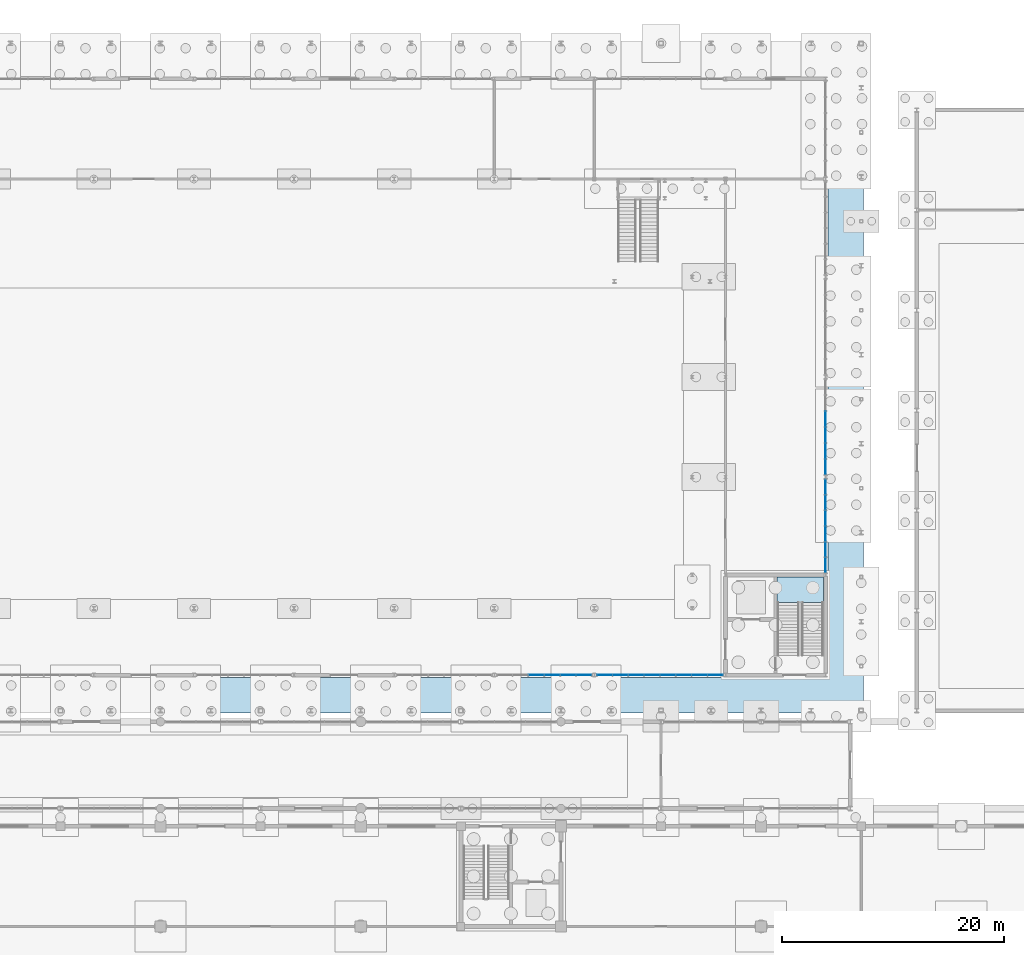
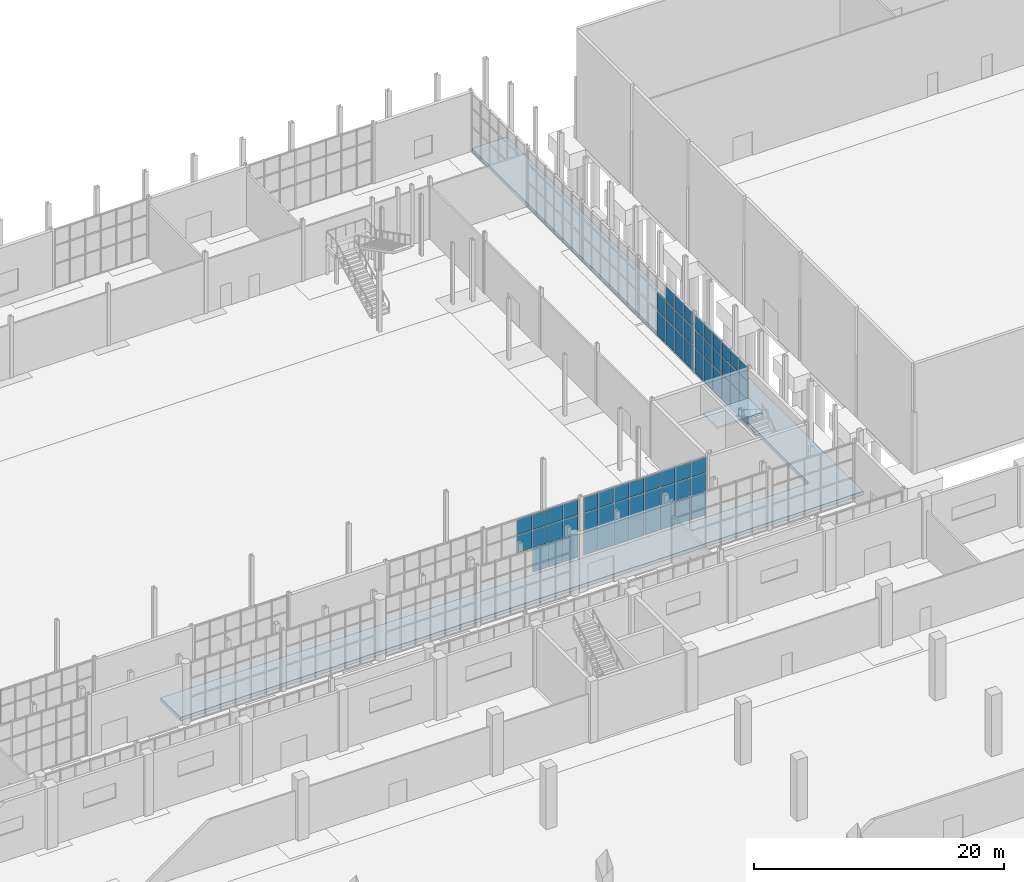
# One storey, part 94 of 131: 64 plates, 2 slabs, 5 elements without a shape of their own.
"""IFC4 building model written with IfcOpenShell, lengths in metres."""

from ifc_helpers import new_model, si_unit, direction, frame, origin, origin_2d, place, context, subcontext, project, spatial, polyline, rectangle, outline, extrude, material, layer, layer_set, type_object, element, aggregate, save


model = new_model("IFC4")

# Units and contexts
model_context = context("Model", 3, precision=1e-05, world=origin(), true_north=direction((0.0, 1.0)))
body_context = subcontext(model_context, "Body", "Model", "MODEL_VIEW")
ifc_project = project(units=[si_unit("LENGTHUNIT", "METRE"), si_unit("AREAUNIT", "SQUARE_METRE"), si_unit("VOLUMEUNIT", "CUBIC_METRE"), si_unit("PLANEANGLEUNIT", "RADIAN"), si_unit("MASSUNIT", "GRAM", prefix="KILO")], contexts=[model_context])

# Site, building, storey
site_placement = place(None, origin())
site = spatial("IfcSite", under=ifc_project, at=site_placement, CompositionType="ELEMENT")
building_placement = place(site_placement, origin())
building = spatial("IfcBuilding", under=site, at=building_placement, Name="Cazmaro Siding Exhibition Halls", CompositionType="ELEMENT")
storey_placement = place(building_placement, origin())
storey = spatial("IfcBuildingStorey", under=building, at=storey_placement, Name="L00", CompositionType="ELEMENT", Elevation=0.0)

# Slab
ifc_material_1 = material(Name="Concrete f'c 35 MPa", Category="concrete")
ifc_layer_1 = layer(ifc_material_1, 0.35009765625)
ifc_layer_set_1 = layer_set([ifc_layer_1], Name="Concrete f'c 35 MPa")
slab_type_1 = type_object("IfcSlabType", Name="BS-03", PredefinedType="BASESLAB", material=ifc_layer_set_1)
slab_1_placement = place(storey_placement, frame((0.0, 0.0, -0.35009765625)))
element("IfcSlab", 1, at=slab_1_placement, inside=storey, type_object=slab_type_1, Name="East colonnade walkway slab BS-03 SLB-0003", PredefinedType="BASESLAB", context=body_context, shape_type="SweptSolid", body=[
    extrude(outline(polyline([(108.0, 63.800048828125), (171.199951171875, 63.800048828125), (171.199951171875, 121.0), (168.0, 121.0), (168.0, 67.0), (108.0, 67.0), (108.0, 63.800048828125)])), origin(), (0.0, 0.0, 1.0), 0.35009765625),
])

# Curtain wall, plates
ifc_material_2 = material(Name="Anodized Bronze Aluminum and Solar-Control Low-E Glazing", Category="aluminium")
ifc_layer_2 = layer(ifc_material_2, 0.179931640625)
ifc_layer_set_2 = layer_set([ifc_layer_2], Name="Anodized Bronze Aluminum and Solar-Control Low-E Glazing")
curtain_wall_type_1 = type_object("IfcCurtainWallType", Name="CWS-01", PredefinedType="USERDEFINED", material=ifc_layer_set_2)
curtain_wall_1_placement = place(storey_placement, origin())
curtain_wall_1 = element("IfcCurtainWall", 2, at=curtain_wall_1_placement, inside=storey, type_object=curtain_wall_type_1, Name="Glazed Curtain Wall CWS-01 CW-040", ObjectType="GLAZED CURTAIN WALL", PredefinedType="USERDEFINED")
ifc_material_3 = material(Name="Solar-Control Low-E Double Insulating Glass", Category="glass")
ifc_layer_3 = layer(ifc_material_3, 0.02392578125)
ifc_layer_set_3 = layer_set([ifc_layer_3], Name="Solar-Control Low-E Double Insulating Glass")
plate_type_1 = type_object("IfcPlateType", Name="CWP-01", PredefinedType="CURTAIN_PANEL", material=ifc_layer_set_3)
plate_1_placement = place(storey_placement, frame((141.78271484375, 67.199951171875, 2.43017578125), z_axis=(0.0, 0.0, 1.0), x_axis=(1.0, 0.0, 0.0)))
plate_1 = element("IfcPlate", 3, at=plate_1_placement, type_object=plate_type_1, Name="CWS-01 panel 3.2", PredefinedType="CURTAIN_PANEL", context=body_context, shape_type="SweptSolid", body=[
    extrude(rectangle(XDim=1.374267578125, YDim=0.02392578125, at=origin_2d()), origin(), (0.0, 0.0, 1.0), 1.739990234375),
])
plate_2_placement = place(storey_placement, frame((141.78271484375, 67.199951171875, 4.22998046875), z_axis=(0.0, 0.0, 1.0), x_axis=(1.0, 0.0, 0.0)))
plate_2 = element("IfcPlate", 4, at=plate_2_placement, type_object=plate_type_1, Name="CWS-01 panel 3.3", PredefinedType="CURTAIN_PANEL", context=body_context, shape_type="SweptSolid", body=[
    extrude(rectangle(XDim=1.374267578125, YDim=0.02392578125, at=origin_2d()), origin(), (0.0, 0.0, 1.0), 1.489990234375),
])
plate_3_placement = place(storey_placement, frame((143.21728515625, 67.199951171875, 0.06005859375), z_axis=(0.0, 0.0, 1.0), x_axis=(1.0, 0.0, 0.0)))
plate_3 = element("IfcPlate", 5, at=plate_3_placement, type_object=plate_type_1, Name="CWS-01 panel 4.1", PredefinedType="CURTAIN_PANEL", context=body_context, shape_type="SweptSolid", body=[
    extrude(rectangle(XDim=1.374267578125, YDim=0.02392578125, at=origin_2d()), origin(), (0.0, 0.0, 1.0), 2.31005859375),
])
plate_4_placement = place(storey_placement, frame((143.21728515625, 67.199951171875, 2.43017578125), z_axis=(0.0, 0.0, 1.0), x_axis=(1.0, 0.0, 0.0)))
plate_4 = element("IfcPlate", 6, at=plate_4_placement, type_object=plate_type_1, Name="CWS-01 panel 4.2", PredefinedType="CURTAIN_PANEL", context=body_context, shape_type="SweptSolid", body=[
    extrude(rectangle(XDim=1.374267578125, YDim=0.02392578125, at=origin_2d()), origin(), (0.0, 0.0, 1.0), 1.739990234375),
])
plate_5_placement = place(storey_placement, frame((143.21728515625, 67.199951171875, 4.22998046875), z_axis=(0.0, 0.0, 1.0), x_axis=(1.0, 0.0, 0.0)))
plate_5 = element("IfcPlate", 7, at=plate_5_placement, type_object=plate_type_1, Name="CWS-01 panel 4.3", PredefinedType="CURTAIN_PANEL", context=body_context, shape_type="SweptSolid", body=[
    extrude(rectangle(XDim=1.374267578125, YDim=0.02392578125, at=origin_2d()), origin(), (0.0, 0.0, 1.0), 1.489990234375),
])
plate_6_placement = place(storey_placement, frame((144.651611328125, 67.199951171875, 0.06005859375), z_axis=(0.0, 0.0, 1.0), x_axis=(1.0, 0.0, 0.0)))
plate_6 = element("IfcPlate", 8, at=plate_6_placement, type_object=plate_type_1, Name="CWS-01 panel 5.1", PredefinedType="CURTAIN_PANEL", context=body_context, shape_type="SweptSolid", body=[
    extrude(rectangle(XDim=1.374267578125, YDim=0.02392578125, at=origin_2d()), origin(), (0.0, 0.0, 1.0), 2.31005859375),
])
plate_7_placement = place(storey_placement, frame((144.651611328125, 67.199951171875, 2.43017578125), z_axis=(0.0, 0.0, 1.0), x_axis=(1.0, 0.0, 0.0)))
plate_7 = element("IfcPlate", 9, at=plate_7_placement, type_object=plate_type_1, Name="CWS-01 panel 5.2", PredefinedType="CURTAIN_PANEL", context=body_context, shape_type="SweptSolid", body=[
    extrude(rectangle(XDim=1.374267578125, YDim=0.02392578125, at=origin_2d()), origin(), (0.0, 0.0, 1.0), 1.739990234375),
])
plate_8_placement = place(storey_placement, frame((144.651611328125, 67.199951171875, 4.22998046875), z_axis=(0.0, 0.0, 1.0), x_axis=(1.0, 0.0, 0.0)))
plate_8 = element("IfcPlate", 10, at=plate_8_placement, type_object=plate_type_1, Name="CWS-01 panel 5.3", PredefinedType="CURTAIN_PANEL", context=body_context, shape_type="SweptSolid", body=[
    extrude(rectangle(XDim=1.374267578125, YDim=0.02392578125, at=origin_2d()), origin(), (0.0, 0.0, 1.0), 1.489990234375),
])
plate_9_placement = place(storey_placement, frame((146.07080078125, 67.199951171875, 0.06005859375), z_axis=(0.0, 0.0, 1.0), x_axis=(1.0, 0.0, 0.0)))
plate_9 = element("IfcPlate", 11, at=plate_9_placement, type_object=plate_type_1, Name="CWS-01 panel 6.1", PredefinedType="CURTAIN_PANEL", context=body_context, shape_type="SweptSolid", body=[
    extrude(rectangle(XDim=1.34423828125, YDim=0.02392578125, at=origin_2d()), origin(), (0.0, 0.0, 1.0), 2.31005859375),
])
plate_10_placement = place(storey_placement, frame((146.07080078125, 67.199951171875, 2.43017578125), z_axis=(0.0, 0.0, 1.0), x_axis=(1.0, 0.0, 0.0)))
plate_10 = element("IfcPlate", 12, at=plate_10_placement, type_object=plate_type_1, Name="CWS-01 panel 6.2", PredefinedType="CURTAIN_PANEL", context=body_context, shape_type="SweptSolid", body=[
    extrude(rectangle(XDim=1.34423828125, YDim=0.02392578125, at=origin_2d()), origin(), (0.0, 0.0, 1.0), 1.739990234375),
])
plate_11_placement = place(storey_placement, frame((146.07080078125, 67.199951171875, 4.22998046875), z_axis=(0.0, 0.0, 1.0), x_axis=(1.0, 0.0, 0.0)))
plate_11 = element("IfcPlate", 13, at=plate_11_placement, type_object=plate_type_1, Name="CWS-01 panel 6.3", PredefinedType="CURTAIN_PANEL", context=body_context, shape_type="SweptSolid", body=[
    extrude(rectangle(XDim=1.34423828125, YDim=0.02392578125, at=origin_2d()), origin(), (0.0, 0.0, 1.0), 1.489990234375),
])
aggregate(curtain_wall_1, [plate_1, plate_2, plate_3, plate_4, plate_5, plate_6, plate_7, plate_8, plate_9, plate_10, plate_11])

curtain_wall_2_placement = place(storey_placement, origin())
curtain_wall_2 = element("IfcCurtainWall", 14, at=curtain_wall_2_placement, inside=storey, type_object=curtain_wall_type_1, Name="Glazed Curtain Wall CWS-01 CW-043", ObjectType="GLAZED CURTAIN WALL", PredefinedType="USERDEFINED")
plate_12_placement = place(storey_placement, frame((147.9248046875, 67.199951171875, 0.06005859375), z_axis=(0.0, 0.0, 1.0), x_axis=(1.0, 0.0, 0.0)))
plate_12 = element("IfcPlate", 15, at=plate_12_placement, type_object=plate_type_1, Name="CWS-01 panel 1.1", PredefinedType="CURTAIN_PANEL", context=body_context, shape_type="SweptSolid", body=[
    extrude(rectangle(XDim=1.335693359375, YDim=0.02392578125, at=origin_2d()), origin(), (0.0, 0.0, 1.0), 2.31005859375),
])
plate_13_placement = place(storey_placement, frame((147.9248046875, 67.199951171875, 2.43017578125), z_axis=(0.0, 0.0, 1.0), x_axis=(1.0, 0.0, 0.0)))
plate_13 = element("IfcPlate", 16, at=plate_13_placement, type_object=plate_type_1, Name="CWS-01 panel 1.2", PredefinedType="CURTAIN_PANEL", context=body_context, shape_type="SweptSolid", body=[
    extrude(rectangle(XDim=1.335693359375, YDim=0.02392578125, at=origin_2d()), origin(), (0.0, 0.0, 1.0), 1.739990234375),
])
plate_14_placement = place(storey_placement, frame((147.9248046875, 67.199951171875, 4.22998046875), z_axis=(0.0, 0.0, 1.0), x_axis=(1.0, 0.0, 0.0)))
plate_14 = element("IfcPlate", 17, at=plate_14_placement, type_object=plate_type_1, Name="CWS-01 panel 1.3", PredefinedType="CURTAIN_PANEL", context=body_context, shape_type="SweptSolid", body=[
    extrude(rectangle(XDim=1.335693359375, YDim=0.02392578125, at=origin_2d()), origin(), (0.0, 0.0, 1.0), 1.489990234375),
])
plate_15_placement = place(storey_placement, frame((149.335693359375, 67.199951171875, 0.06005859375), z_axis=(0.0, 0.0, 1.0), x_axis=(1.0, 0.0, 0.0)))
plate_15 = element("IfcPlate", 18, at=plate_15_placement, type_object=plate_type_1, Name="CWS-01 panel 2.1", PredefinedType="CURTAIN_PANEL", context=body_context, shape_type="SweptSolid", body=[
    extrude(rectangle(XDim=1.36572265625, YDim=0.02392578125, at=origin_2d()), origin(), (0.0, 0.0, 1.0), 2.31005859375),
])
plate_16_placement = place(storey_placement, frame((149.335693359375, 67.199951171875, 2.43017578125), z_axis=(0.0, 0.0, 1.0), x_axis=(1.0, 0.0, 0.0)))
plate_16 = element("IfcPlate", 19, at=plate_16_placement, type_object=plate_type_1, Name="CWS-01 panel 2.2", PredefinedType="CURTAIN_PANEL", context=body_context, shape_type="SweptSolid", body=[
    extrude(rectangle(XDim=1.36572265625, YDim=0.02392578125, at=origin_2d()), origin(), (0.0, 0.0, 1.0), 1.739990234375),
])
plate_17_placement = place(storey_placement, frame((149.335693359375, 67.199951171875, 4.22998046875), z_axis=(0.0, 0.0, 1.0), x_axis=(1.0, 0.0, 0.0)))
plate_17 = element("IfcPlate", 20, at=plate_17_placement, type_object=plate_type_1, Name="CWS-01 panel 2.3", PredefinedType="CURTAIN_PANEL", context=body_context, shape_type="SweptSolid", body=[
    extrude(rectangle(XDim=1.36572265625, YDim=0.02392578125, at=origin_2d()), origin(), (0.0, 0.0, 1.0), 1.489990234375),
])
plate_18_placement = place(storey_placement, frame((150.761474609375, 67.199951171875, 0.06005859375), z_axis=(0.0, 0.0, 1.0), x_axis=(1.0, 0.0, 0.0)))
plate_18 = element("IfcPlate", 21, at=plate_18_placement, type_object=plate_type_1, Name="CWS-01 panel 3.1", PredefinedType="CURTAIN_PANEL", context=body_context, shape_type="SweptSolid", body=[
    extrude(rectangle(XDim=1.36572265625, YDim=0.02392578125, at=origin_2d()), origin(), (0.0, 0.0, 1.0), 2.31005859375),
])
plate_19_placement = place(storey_placement, frame((150.761474609375, 67.199951171875, 2.43017578125), z_axis=(0.0, 0.0, 1.0), x_axis=(1.0, 0.0, 0.0)))
plate_19 = element("IfcPlate", 22, at=plate_19_placement, type_object=plate_type_1, Name="CWS-01 panel 3.2", PredefinedType="CURTAIN_PANEL", context=body_context, shape_type="SweptSolid", body=[
    extrude(rectangle(XDim=1.36572265625, YDim=0.02392578125, at=origin_2d()), origin(), (0.0, 0.0, 1.0), 1.739990234375),
])
plate_20_placement = place(storey_placement, frame((150.761474609375, 67.199951171875, 4.22998046875), z_axis=(0.0, 0.0, 1.0), x_axis=(1.0, 0.0, 0.0)))
plate_20 = element("IfcPlate", 23, at=plate_20_placement, type_object=plate_type_1, Name="CWS-01 panel 3.3", PredefinedType="CURTAIN_PANEL", context=body_context, shape_type="SweptSolid", body=[
    extrude(rectangle(XDim=1.36572265625, YDim=0.02392578125, at=origin_2d()), origin(), (0.0, 0.0, 1.0), 1.489990234375),
])
plate_21_placement = place(storey_placement, frame((152.18701171875, 67.199951171875, 0.06005859375), z_axis=(0.0, 0.0, 1.0), x_axis=(1.0, 0.0, 0.0)))
plate_21 = element("IfcPlate", 24, at=plate_21_placement, type_object=plate_type_1, Name="CWS-01 panel 4.1", PredefinedType="CURTAIN_PANEL", context=body_context, shape_type="SweptSolid", body=[
    extrude(rectangle(XDim=1.36572265625, YDim=0.02392578125, at=origin_2d()), origin(), (0.0, 0.0, 1.0), 2.31005859375),
])
plate_22_placement = place(storey_placement, frame((152.18701171875, 67.199951171875, 2.43017578125), z_axis=(0.0, 0.0, 1.0), x_axis=(1.0, 0.0, 0.0)))
plate_22 = element("IfcPlate", 25, at=plate_22_placement, type_object=plate_type_1, Name="CWS-01 panel 4.2", PredefinedType="CURTAIN_PANEL", context=body_context, shape_type="SweptSolid", body=[
    extrude(rectangle(XDim=1.36572265625, YDim=0.02392578125, at=origin_2d()), origin(), (0.0, 0.0, 1.0), 1.739990234375),
])
plate_23_placement = place(storey_placement, frame((152.18701171875, 67.199951171875, 4.22998046875), z_axis=(0.0, 0.0, 1.0), x_axis=(1.0, 0.0, 0.0)))
plate_23 = element("IfcPlate", 26, at=plate_23_placement, type_object=plate_type_1, Name="CWS-01 panel 4.3", PredefinedType="CURTAIN_PANEL", context=body_context, shape_type="SweptSolid", body=[
    extrude(rectangle(XDim=1.36572265625, YDim=0.02392578125, at=origin_2d()), origin(), (0.0, 0.0, 1.0), 1.489990234375),
])
plate_24_placement = place(storey_placement, frame((153.61279296875, 67.199951171875, 0.06005859375), z_axis=(0.0, 0.0, 1.0), x_axis=(1.0, 0.0, 0.0)))
plate_24 = element("IfcPlate", 27, at=plate_24_placement, type_object=plate_type_1, Name="CWS-01 panel 5.1", PredefinedType="CURTAIN_PANEL", context=body_context, shape_type="SweptSolid", body=[
    extrude(rectangle(XDim=1.36572265625, YDim=0.02392578125, at=origin_2d()), origin(), (0.0, 0.0, 1.0), 2.31005859375),
])
plate_25_placement = place(storey_placement, frame((153.61279296875, 67.199951171875, 2.43017578125), z_axis=(0.0, 0.0, 1.0), x_axis=(1.0, 0.0, 0.0)))
plate_25 = element("IfcPlate", 28, at=plate_25_placement, type_object=plate_type_1, Name="CWS-01 panel 5.2", PredefinedType="CURTAIN_PANEL", context=body_context, shape_type="SweptSolid", body=[
    extrude(rectangle(XDim=1.36572265625, YDim=0.02392578125, at=origin_2d()), origin(), (0.0, 0.0, 1.0), 1.739990234375),
])
plate_26_placement = place(storey_placement, frame((153.61279296875, 67.199951171875, 4.22998046875), z_axis=(0.0, 0.0, 1.0), x_axis=(1.0, 0.0, 0.0)))
plate_26 = element("IfcPlate", 29, at=plate_26_placement, type_object=plate_type_1, Name="CWS-01 panel 5.3", PredefinedType="CURTAIN_PANEL", context=body_context, shape_type="SweptSolid", body=[
    extrude(rectangle(XDim=1.36572265625, YDim=0.02392578125, at=origin_2d()), origin(), (0.0, 0.0, 1.0), 1.489990234375),
])
plate_27_placement = place(storey_placement, frame((155.03857421875, 67.199951171875, 0.06005859375), z_axis=(0.0, 0.0, 1.0), x_axis=(1.0, 0.0, 0.0)))
plate_27 = element("IfcPlate", 30, at=plate_27_placement, type_object=plate_type_1, Name="CWS-01 panel 6.1", PredefinedType="CURTAIN_PANEL", context=body_context, shape_type="SweptSolid", body=[
    extrude(rectangle(XDim=1.36572265625, YDim=0.02392578125, at=origin_2d()), origin(), (0.0, 0.0, 1.0), 2.31005859375),
])
plate_28_placement = place(storey_placement, frame((155.03857421875, 67.199951171875, 2.43017578125), z_axis=(0.0, 0.0, 1.0), x_axis=(1.0, 0.0, 0.0)))
plate_28 = element("IfcPlate", 31, at=plate_28_placement, type_object=plate_type_1, Name="CWS-01 panel 6.2", PredefinedType="CURTAIN_PANEL", context=body_context, shape_type="SweptSolid", body=[
    extrude(rectangle(XDim=1.36572265625, YDim=0.02392578125, at=origin_2d()), origin(), (0.0, 0.0, 1.0), 1.739990234375),
])
plate_29_placement = place(storey_placement, frame((155.03857421875, 67.199951171875, 4.22998046875), z_axis=(0.0, 0.0, 1.0), x_axis=(1.0, 0.0, 0.0)))
plate_29 = element("IfcPlate", 32, at=plate_29_placement, type_object=plate_type_1, Name="CWS-01 panel 6.3", PredefinedType="CURTAIN_PANEL", context=body_context, shape_type="SweptSolid", body=[
    extrude(rectangle(XDim=1.36572265625, YDim=0.02392578125, at=origin_2d()), origin(), (0.0, 0.0, 1.0), 1.489990234375),
])
plate_30_placement = place(storey_placement, frame((156.46435546875, 67.199951171875, 0.06005859375), z_axis=(0.0, 0.0, 1.0), x_axis=(1.0, 0.0, 0.0)))
plate_30 = element("IfcPlate", 33, at=plate_30_placement, type_object=plate_type_1, Name="CWS-01 panel 7.1", PredefinedType="CURTAIN_PANEL", context=body_context, shape_type="SweptSolid", body=[
    extrude(rectangle(XDim=1.36572265625, YDim=0.02392578125, at=origin_2d()), origin(), (0.0, 0.0, 1.0), 2.31005859375),
])
plate_31_placement = place(storey_placement, frame((156.46435546875, 67.199951171875, 2.43017578125), z_axis=(0.0, 0.0, 1.0), x_axis=(1.0, 0.0, 0.0)))
plate_31 = element("IfcPlate", 34, at=plate_31_placement, type_object=plate_type_1, Name="CWS-01 panel 7.2", PredefinedType="CURTAIN_PANEL", context=body_context, shape_type="SweptSolid", body=[
    extrude(rectangle(XDim=1.36572265625, YDim=0.02392578125, at=origin_2d()), origin(), (0.0, 0.0, 1.0), 1.739990234375),
])
plate_32_placement = place(storey_placement, frame((156.46435546875, 67.199951171875, 4.22998046875), z_axis=(0.0, 0.0, 1.0), x_axis=(1.0, 0.0, 0.0)))
plate_32 = element("IfcPlate", 35, at=plate_32_placement, type_object=plate_type_1, Name="CWS-01 panel 7.3", PredefinedType="CURTAIN_PANEL", context=body_context, shape_type="SweptSolid", body=[
    extrude(rectangle(XDim=1.36572265625, YDim=0.02392578125, at=origin_2d()), origin(), (0.0, 0.0, 1.0), 1.489990234375),
])
plate_33_placement = place(storey_placement, frame((157.875244140625, 67.199951171875, 0.06005859375), z_axis=(0.0, 0.0, 1.0), x_axis=(1.0, 0.0, 0.0)))
plate_33 = element("IfcPlate", 36, at=plate_33_placement, type_object=plate_type_1, Name="CWS-01 panel 8.1", PredefinedType="CURTAIN_PANEL", context=body_context, shape_type="SweptSolid", body=[
    extrude(rectangle(XDim=1.335693359375, YDim=0.02392578125, at=origin_2d()), origin(), (0.0, 0.0, 1.0), 2.31005859375),
])
plate_34_placement = place(storey_placement, frame((157.875244140625, 67.199951171875, 2.43017578125), z_axis=(0.0, 0.0, 1.0), x_axis=(1.0, 0.0, 0.0)))
plate_34 = element("IfcPlate", 37, at=plate_34_placement, type_object=plate_type_1, Name="CWS-01 panel 8.2", PredefinedType="CURTAIN_PANEL", context=body_context, shape_type="SweptSolid", body=[
    extrude(rectangle(XDim=1.335693359375, YDim=0.02392578125, at=origin_2d()), origin(), (0.0, 0.0, 1.0), 1.739990234375),
])
plate_35_placement = place(storey_placement, frame((157.875244140625, 67.199951171875, 4.22998046875), z_axis=(0.0, 0.0, 1.0), x_axis=(1.0, 0.0, 0.0)))
plate_35 = element("IfcPlate", 38, at=plate_35_placement, type_object=plate_type_1, Name="CWS-01 panel 8.3", PredefinedType="CURTAIN_PANEL", context=body_context, shape_type="SweptSolid", body=[
    extrude(rectangle(XDim=1.335693359375, YDim=0.02392578125, at=origin_2d()), origin(), (0.0, 0.0, 1.0), 1.489990234375),
])
aggregate(curtain_wall_2, [plate_12, plate_13, plate_14, plate_15, plate_16, plate_17, plate_18, plate_19, plate_20, plate_21, plate_22, plate_23, plate_24, plate_25, plate_26, plate_27, plate_28, plate_29, plate_30, plate_31, plate_32, plate_33, plate_34, plate_35])

ifc_material_4 = material(Name="Anodized Bronze Aluminum and Solar-Control Low-E Glazing", Category="aluminium")
ifc_layer_4 = layer(ifc_material_4, 0.219970703125)
ifc_layer_set_4 = layer_set([ifc_layer_4], Name="Anodized Bronze Aluminum and Solar-Control Low-E Glazing")
curtain_wall_type_2 = type_object("IfcCurtainWallType", Name="CWS-03", PredefinedType="USERDEFINED", material=ifc_layer_set_4)
curtain_wall_3_placement = place(storey_placement, origin())
curtain_wall_3 = element("IfcCurtainWall", 39, at=curtain_wall_3_placement, inside=storey, type_object=curtain_wall_type_2, Name="Glazed Curtain Wall CWS-03 CW-065", ObjectType="GLAZED CURTAIN WALL", PredefinedType="USERDEFINED")
ifc_material_5 = material(Name="Solar-Control Low-E Double Insulating Glass", Category="glass")
ifc_layer_5 = layer(ifc_material_5, 0.0458984375)
ifc_layer_set_5 = layer_set([ifc_layer_5], Name="Solar-Control Low-E Double Insulating Glass")
plate_type_2 = type_object("IfcPlateType", Name="CWP-03", PredefinedType="CURTAIN_PANEL", material=ifc_layer_set_5)
plate_36_placement = place(storey_placement, frame((167.800048828125, 77.098388671875, 0.070068359375), z_axis=(0.0, 0.0, 1.0), x_axis=(0.0, 1.0, 0.0)))
plate_36 = element("IfcPlate", 40, at=plate_36_placement, type_object=plate_type_2, Name="CWS-03 panel 1.1", PredefinedType="CURTAIN_PANEL", context=body_context, shape_type="SweptSolid", body=[
    extrude(rectangle(XDim=1.302734375, YDim=0.0458984375, at=origin_2d()), origin(), (0.0, 0.0, 1.0), 2.39501953125),
])
plate_37_placement = place(storey_placement, frame((167.800048828125, 77.098388671875, 2.534912109375), z_axis=(0.0, 0.0, 1.0), x_axis=(0.0, 1.0, 0.0)))
plate_37 = element("IfcPlate", 41, at=plate_37_placement, type_object=plate_type_2, Name="CWS-03 panel 1.2", PredefinedType="CURTAIN_PANEL", context=body_context, shape_type="SweptSolid", body=[
    extrude(rectangle(XDim=1.302734375, YDim=0.0458984375, at=origin_2d()), origin(), (0.0, 0.0, 1.0), 1.72998046875),
])
plate_38_placement = place(storey_placement, frame((167.800048828125, 77.098388671875, 4.3349609375), z_axis=(0.0, 0.0, 1.0), x_axis=(0.0, 1.0, 0.0)))
plate_38 = element("IfcPlate", 42, at=plate_38_placement, type_object=plate_type_2, Name="CWS-03 panel 1.3", PredefinedType="CURTAIN_PANEL", context=body_context, shape_type="SweptSolid", body=[
    extrude(rectangle(XDim=1.302734375, YDim=0.0458984375, at=origin_2d()), origin(), (0.0, 0.0, 1.0), 1.375),
])
plate_39_placement = place(storey_placement, frame((167.800048828125, 78.488525390625, 0.070068359375), z_axis=(0.0, 0.0, 1.0), x_axis=(0.0, 1.0, 0.0)))
plate_39 = element("IfcPlate", 43, at=plate_39_placement, type_object=plate_type_2, Name="CWS-03 panel 2.1", PredefinedType="CURTAIN_PANEL", context=body_context, shape_type="SweptSolid", body=[
    extrude(rectangle(XDim=1.337646484375, YDim=0.0458984375, at=origin_2d()), origin(), (0.0, 0.0, 1.0), 2.39501953125),
])
plate_40_placement = place(storey_placement, frame((167.800048828125, 78.488525390625, 2.534912109375), z_axis=(0.0, 0.0, 1.0), x_axis=(0.0, 1.0, 0.0)))
plate_40 = element("IfcPlate", 44, at=plate_40_placement, type_object=plate_type_2, Name="CWS-03 panel 2.2", PredefinedType="CURTAIN_PANEL", context=body_context, shape_type="SweptSolid", body=[
    extrude(rectangle(XDim=1.337646484375, YDim=0.0458984375, at=origin_2d()), origin(), (0.0, 0.0, 1.0), 1.72998046875),
])
plate_41_placement = place(storey_placement, frame((167.800048828125, 78.488525390625, 4.3349609375), z_axis=(0.0, 0.0, 1.0), x_axis=(0.0, 1.0, 0.0)))
plate_41 = element("IfcPlate", 45, at=plate_41_placement, type_object=plate_type_2, Name="CWS-03 panel 2.3", PredefinedType="CURTAIN_PANEL", context=body_context, shape_type="SweptSolid", body=[
    extrude(rectangle(XDim=1.337646484375, YDim=0.0458984375, at=origin_2d()), origin(), (0.0, 0.0, 1.0), 1.375),
])
plate_42_placement = place(storey_placement, frame((167.800048828125, 79.896240234375, 0.070068359375), z_axis=(0.0, 0.0, 1.0), x_axis=(0.0, 1.0, 0.0)))
plate_42 = element("IfcPlate", 46, at=plate_42_placement, type_object=plate_type_2, Name="CWS-03 panel 3.1", PredefinedType="CURTAIN_PANEL", context=body_context, shape_type="SweptSolid", body=[
    extrude(rectangle(XDim=1.337646484375, YDim=0.0458984375, at=origin_2d()), origin(), (0.0, 0.0, 1.0), 2.39501953125),
])
plate_43_placement = place(storey_placement, frame((167.800048828125, 79.896240234375, 2.534912109375), z_axis=(0.0, 0.0, 1.0), x_axis=(0.0, 1.0, 0.0)))
plate_43 = element("IfcPlate", 47, at=plate_43_placement, type_object=plate_type_2, Name="CWS-03 panel 3.2", PredefinedType="CURTAIN_PANEL", context=body_context, shape_type="SweptSolid", body=[
    extrude(rectangle(XDim=1.337646484375, YDim=0.0458984375, at=origin_2d()), origin(), (0.0, 0.0, 1.0), 1.72998046875),
])
plate_44_placement = place(storey_placement, frame((167.800048828125, 79.896240234375, 4.3349609375), z_axis=(0.0, 0.0, 1.0), x_axis=(0.0, 1.0, 0.0)))
plate_44 = element("IfcPlate", 48, at=plate_44_placement, type_object=plate_type_2, Name="CWS-03 panel 3.3", PredefinedType="CURTAIN_PANEL", context=body_context, shape_type="SweptSolid", body=[
    extrude(rectangle(XDim=1.337646484375, YDim=0.0458984375, at=origin_2d()), origin(), (0.0, 0.0, 1.0), 1.375),
])
plate_45_placement = place(storey_placement, frame((167.800048828125, 81.303955078125, 0.070068359375), z_axis=(0.0, 0.0, 1.0), x_axis=(0.0, 1.0, 0.0)))
plate_45 = element("IfcPlate", 49, at=plate_45_placement, type_object=plate_type_2, Name="CWS-03 panel 4.1", PredefinedType="CURTAIN_PANEL", context=body_context, shape_type="SweptSolid", body=[
    extrude(rectangle(XDim=1.337646484375, YDim=0.0458984375, at=origin_2d()), origin(), (0.0, 0.0, 1.0), 2.39501953125),
])
plate_46_placement = place(storey_placement, frame((167.800048828125, 81.303955078125, 2.534912109375), z_axis=(0.0, 0.0, 1.0), x_axis=(0.0, 1.0, 0.0)))
plate_46 = element("IfcPlate", 50, at=plate_46_placement, type_object=plate_type_2, Name="CWS-03 panel 4.2", PredefinedType="CURTAIN_PANEL", context=body_context, shape_type="SweptSolid", body=[
    extrude(rectangle(XDim=1.337646484375, YDim=0.0458984375, at=origin_2d()), origin(), (0.0, 0.0, 1.0), 1.72998046875),
])
plate_47_placement = place(storey_placement, frame((167.800048828125, 81.303955078125, 4.3349609375), z_axis=(0.0, 0.0, 1.0), x_axis=(0.0, 1.0, 0.0)))
plate_47 = element("IfcPlate", 51, at=plate_47_placement, type_object=plate_type_2, Name="CWS-03 panel 4.3", PredefinedType="CURTAIN_PANEL", context=body_context, shape_type="SweptSolid", body=[
    extrude(rectangle(XDim=1.337646484375, YDim=0.0458984375, at=origin_2d()), origin(), (0.0, 0.0, 1.0), 1.375),
])
plate_48_placement = place(storey_placement, frame((167.800048828125, 82.71142578125, 0.070068359375), z_axis=(0.0, 0.0, 1.0), x_axis=(0.0, 1.0, 0.0)))
plate_48 = element("IfcPlate", 52, at=plate_48_placement, type_object=plate_type_2, Name="CWS-03 panel 5.1", PredefinedType="CURTAIN_PANEL", context=body_context, shape_type="SweptSolid", body=[
    extrude(rectangle(XDim=1.337646484375, YDim=0.0458984375, at=origin_2d()), origin(), (0.0, 0.0, 1.0), 2.39501953125),
])
plate_49_placement = place(storey_placement, frame((167.800048828125, 82.71142578125, 2.534912109375), z_axis=(0.0, 0.0, 1.0), x_axis=(0.0, 1.0, 0.0)))
plate_49 = element("IfcPlate", 53, at=plate_49_placement, type_object=plate_type_2, Name="CWS-03 panel 5.2", PredefinedType="CURTAIN_PANEL", context=body_context, shape_type="SweptSolid", body=[
    extrude(rectangle(XDim=1.337646484375, YDim=0.0458984375, at=origin_2d()), origin(), (0.0, 0.0, 1.0), 1.72998046875),
])
plate_50_placement = place(storey_placement, frame((167.800048828125, 82.71142578125, 4.3349609375), z_axis=(0.0, 0.0, 1.0), x_axis=(0.0, 1.0, 0.0)))
plate_50 = element("IfcPlate", 54, at=plate_50_placement, type_object=plate_type_2, Name="CWS-03 panel 5.3", PredefinedType="CURTAIN_PANEL", context=body_context, shape_type="SweptSolid", body=[
    extrude(rectangle(XDim=1.337646484375, YDim=0.0458984375, at=origin_2d()), origin(), (0.0, 0.0, 1.0), 1.375),
])
plate_51_placement = place(storey_placement, frame((167.800048828125, 84.1015625, 0.070068359375), z_axis=(0.0, 0.0, 1.0), x_axis=(0.0, 1.0, 0.0)))
plate_51 = element("IfcPlate", 55, at=plate_51_placement, type_object=plate_type_2, Name="CWS-03 panel 6.1", PredefinedType="CURTAIN_PANEL", context=body_context, shape_type="SweptSolid", body=[
    extrude(rectangle(XDim=1.302734375, YDim=0.0458984375, at=origin_2d()), origin(), (0.0, 0.0, 1.0), 2.39501953125),
])
plate_52_placement = place(storey_placement, frame((167.800048828125, 84.1015625, 2.534912109375), z_axis=(0.0, 0.0, 1.0), x_axis=(0.0, 1.0, 0.0)))
plate_52 = element("IfcPlate", 56, at=plate_52_placement, type_object=plate_type_2, Name="CWS-03 panel 6.2", PredefinedType="CURTAIN_PANEL", context=body_context, shape_type="SweptSolid", body=[
    extrude(rectangle(XDim=1.302734375, YDim=0.0458984375, at=origin_2d()), origin(), (0.0, 0.0, 1.0), 1.72998046875),
])
plate_53_placement = place(storey_placement, frame((167.800048828125, 84.1015625, 4.3349609375), z_axis=(0.0, 0.0, 1.0), x_axis=(0.0, 1.0, 0.0)))
plate_53 = element("IfcPlate", 57, at=plate_53_placement, type_object=plate_type_2, Name="CWS-03 panel 6.3", PredefinedType="CURTAIN_PANEL", context=body_context, shape_type="SweptSolid", body=[
    extrude(rectangle(XDim=1.302734375, YDim=0.0458984375, at=origin_2d()), origin(), (0.0, 0.0, 1.0), 1.375),
])
aggregate(curtain_wall_3, [plate_36, plate_37, plate_38, plate_39, plate_40, plate_41, plate_42, plate_43, plate_44, plate_45, plate_46, plate_47, plate_48, plate_49, plate_50, plate_51, plate_52, plate_53])

curtain_wall_4_placement = place(storey_placement, origin())
curtain_wall_4 = element("IfcCurtainWall", 58, at=curtain_wall_4_placement, inside=storey, type_object=curtain_wall_type_2, Name="Glazed Curtain Wall CWS-03 CW-068", ObjectType="GLAZED CURTAIN WALL", PredefinedType="USERDEFINED")
plate_54_placement = place(storey_placement, frame((167.800048828125, 85.9150390625, 0.070068359375), z_axis=(0.0, 0.0, 1.0), x_axis=(0.0, 1.0, 0.0)))
plate_54 = element("IfcPlate", 59, at=plate_54_placement, type_object=plate_type_2, Name="CWS-03 panel 1.1", PredefinedType="CURTAIN_PANEL", context=body_context, shape_type="SweptSolid", body=[
    extrude(rectangle(XDim=1.3359375, YDim=0.0458984375, at=origin_2d()), origin(), (0.0, 0.0, 1.0), 2.39501953125),
])
plate_55_placement = place(storey_placement, frame((167.800048828125, 85.9150390625, 2.534912109375), z_axis=(0.0, 0.0, 1.0), x_axis=(0.0, 1.0, 0.0)))
plate_55 = element("IfcPlate", 60, at=plate_55_placement, type_object=plate_type_2, Name="CWS-03 panel 1.2", PredefinedType="CURTAIN_PANEL", context=body_context, shape_type="SweptSolid", body=[
    extrude(rectangle(XDim=1.3359375, YDim=0.0458984375, at=origin_2d()), origin(), (0.0, 0.0, 1.0), 1.72998046875),
])
plate_56_placement = place(storey_placement, frame((167.800048828125, 85.9150390625, 4.3349609375), z_axis=(0.0, 0.0, 1.0), x_axis=(0.0, 1.0, 0.0)))
plate_56 = element("IfcPlate", 61, at=plate_56_placement, type_object=plate_type_2, Name="CWS-03 panel 1.3", PredefinedType="CURTAIN_PANEL", context=body_context, shape_type="SweptSolid", body=[
    extrude(rectangle(XDim=1.3359375, YDim=0.0458984375, at=origin_2d()), origin(), (0.0, 0.0, 1.0), 1.375),
])
plate_57_placement = place(storey_placement, frame((167.800048828125, 87.33837890625, 0.070068359375), z_axis=(0.0, 0.0, 1.0), x_axis=(0.0, 1.0, 0.0)))
plate_57 = element("IfcPlate", 62, at=plate_57_placement, type_object=plate_type_2, Name="CWS-03 panel 2.1", PredefinedType="CURTAIN_PANEL", context=body_context, shape_type="SweptSolid", body=[
    extrude(rectangle(XDim=1.37109375, YDim=0.0458984375, at=origin_2d()), origin(), (0.0, 0.0, 1.0), 2.39501953125),
])
plate_58_placement = place(storey_placement, frame((167.800048828125, 87.33837890625, 2.534912109375), z_axis=(0.0, 0.0, 1.0), x_axis=(0.0, 1.0, 0.0)))
plate_58 = element("IfcPlate", 63, at=plate_58_placement, type_object=plate_type_2, Name="CWS-03 panel 2.2", PredefinedType="CURTAIN_PANEL", context=body_context, shape_type="SweptSolid", body=[
    extrude(rectangle(XDim=1.37109375, YDim=0.0458984375, at=origin_2d()), origin(), (0.0, 0.0, 1.0), 1.72998046875),
])
plate_59_placement = place(storey_placement, frame((167.800048828125, 87.33837890625, 4.3349609375), z_axis=(0.0, 0.0, 1.0), x_axis=(0.0, 1.0, 0.0)))
plate_59 = element("IfcPlate", 64, at=plate_59_placement, type_object=plate_type_2, Name="CWS-03 panel 2.3", PredefinedType="CURTAIN_PANEL", context=body_context, shape_type="SweptSolid", body=[
    extrude(rectangle(XDim=1.37109375, YDim=0.0458984375, at=origin_2d()), origin(), (0.0, 0.0, 1.0), 1.375),
])
plate_60_placement = place(storey_placement, frame((167.800048828125, 88.779541015625, 0.070068359375), z_axis=(0.0, 0.0, 1.0), x_axis=(0.0, 1.0, 0.0)))
plate_60 = element("IfcPlate", 65, at=plate_60_placement, type_object=plate_type_2, Name="CWS-03 panel 3.1", PredefinedType="CURTAIN_PANEL", context=body_context, shape_type="SweptSolid", body=[
    extrude(rectangle(XDim=1.37109375, YDim=0.0458984375, at=origin_2d()), origin(), (0.0, 0.0, 1.0), 2.39501953125),
])
plate_61_placement = place(storey_placement, frame((167.800048828125, 88.779541015625, 2.534912109375), z_axis=(0.0, 0.0, 1.0), x_axis=(0.0, 1.0, 0.0)))
plate_61 = element("IfcPlate", 66, at=plate_61_placement, type_object=plate_type_2, Name="CWS-03 panel 3.2", PredefinedType="CURTAIN_PANEL", context=body_context, shape_type="SweptSolid", body=[
    extrude(rectangle(XDim=1.37109375, YDim=0.0458984375, at=origin_2d()), origin(), (0.0, 0.0, 1.0), 1.72998046875),
])
plate_62_placement = place(storey_placement, frame((167.800048828125, 88.779541015625, 4.3349609375), z_axis=(0.0, 0.0, 1.0), x_axis=(0.0, 1.0, 0.0)))
plate_62 = element("IfcPlate", 67, at=plate_62_placement, type_object=plate_type_2, Name="CWS-03 panel 3.3", PredefinedType="CURTAIN_PANEL", context=body_context, shape_type="SweptSolid", body=[
    extrude(rectangle(XDim=1.37109375, YDim=0.0458984375, at=origin_2d()), origin(), (0.0, 0.0, 1.0), 1.375),
])
plate_63_placement = place(storey_placement, frame((167.800048828125, 90.220458984375, 0.070068359375), z_axis=(0.0, 0.0, 1.0), x_axis=(0.0, 1.0, 0.0)))
plate_63 = element("IfcPlate", 68, at=plate_63_placement, type_object=plate_type_2, Name="CWS-03 panel 4.1", PredefinedType="CURTAIN_PANEL", context=body_context, shape_type="SweptSolid", body=[
    extrude(rectangle(XDim=1.37109375, YDim=0.0458984375, at=origin_2d()), origin(), (0.0, 0.0, 1.0), 2.39501953125),
])
plate_64_placement = place(storey_placement, frame((167.800048828125, 90.220458984375, 2.534912109375), z_axis=(0.0, 0.0, 1.0), x_axis=(0.0, 1.0, 0.0)))
plate_64 = element("IfcPlate", 69, at=plate_64_placement, type_object=plate_type_2, Name="CWS-03 panel 4.2", PredefinedType="CURTAIN_PANEL", context=body_context, shape_type="SweptSolid", body=[
    extrude(rectangle(XDim=1.37109375, YDim=0.0458984375, at=origin_2d()), origin(), (0.0, 0.0, 1.0), 1.72998046875),
])
aggregate(curtain_wall_4, [plate_54, plate_55, plate_56, plate_57, plate_58, plate_59, plate_60, plate_61, plate_62, plate_63, plate_64])

# Stair, slab
ifc_material_6 = material(Name="Concrete f'c 40 MPa", Category="concrete")
stair_type = type_object("IfcStairType", Name="STT-03", PredefinedType="TWO_STRAIGHT_RUN_STAIR", material=ifc_material_6)
stair_placement = place(storey_placement, origin())
stair = element("IfcStair", 70, at=stair_placement, inside=storey, type_object=stair_type, Name="Core C2 Exit Stair L00-L01 ST-03", PredefinedType="TWO_STRAIGHT_RUN_STAIR")
ifc_material_7 = material(Name="Concrete f'c 40 MPa", Category="concrete")
ifc_layer_6 = layer(ifc_material_7, 0.199951171875)
ifc_layer_set_6 = layer_set([ifc_layer_6], Name="Concrete f'c 40 MPa")
slab_type_2 = type_object("IfcSlabType", Name="LND-03", PredefinedType="LANDING", material=ifc_layer_set_6)
slab_2_placement = place(storey_placement, frame((0.0, 0.0, 2.800048828125)))
slab_2 = element("IfcSlab", 71, at=slab_2_placement, type_object=slab_type_2, Name="ST-03 landing 1", PredefinedType="LANDING", context=body_context, shape_type="SweptSolid", body=[
    extrude(outline(polyline([(163.419921875, 73.699951171875), (167.625, 73.699951171875), (167.625, 76.02490234375), (163.419921875, 76.02490234375), (163.419921875, 73.699951171875)])), origin(), (0.0, 0.0, 1.0), 0.199951171875),
])
aggregate(stair, [slab_2])

save(model, "model.ifc")
